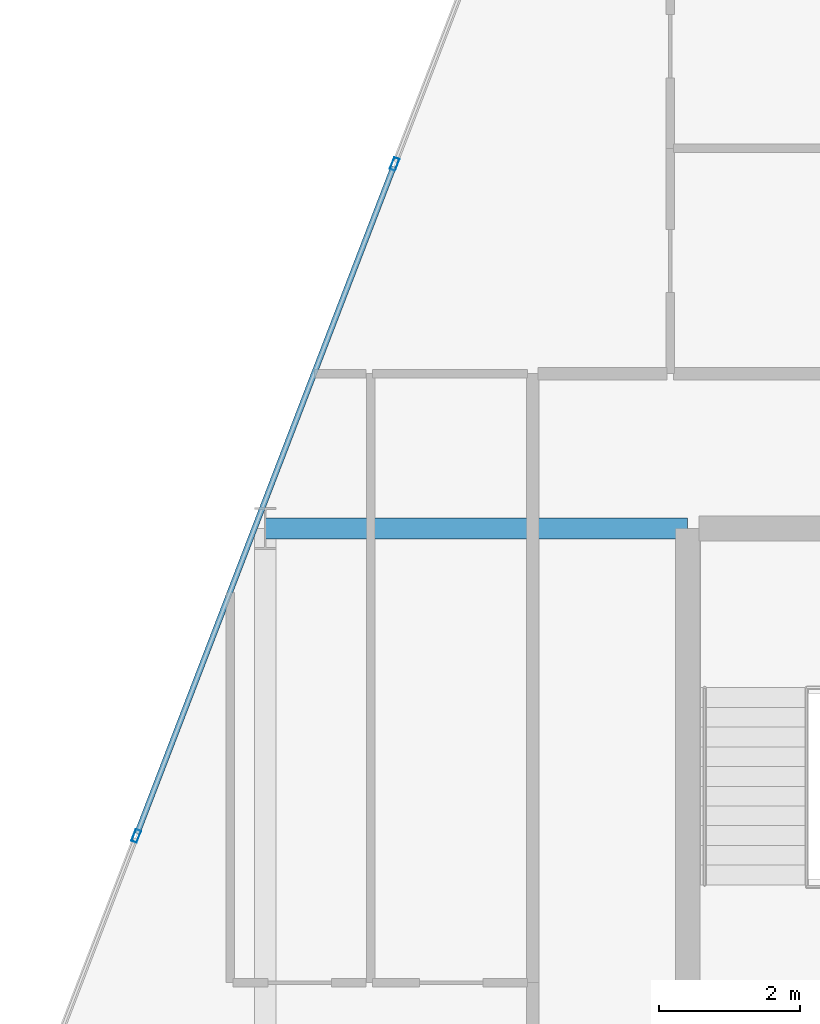
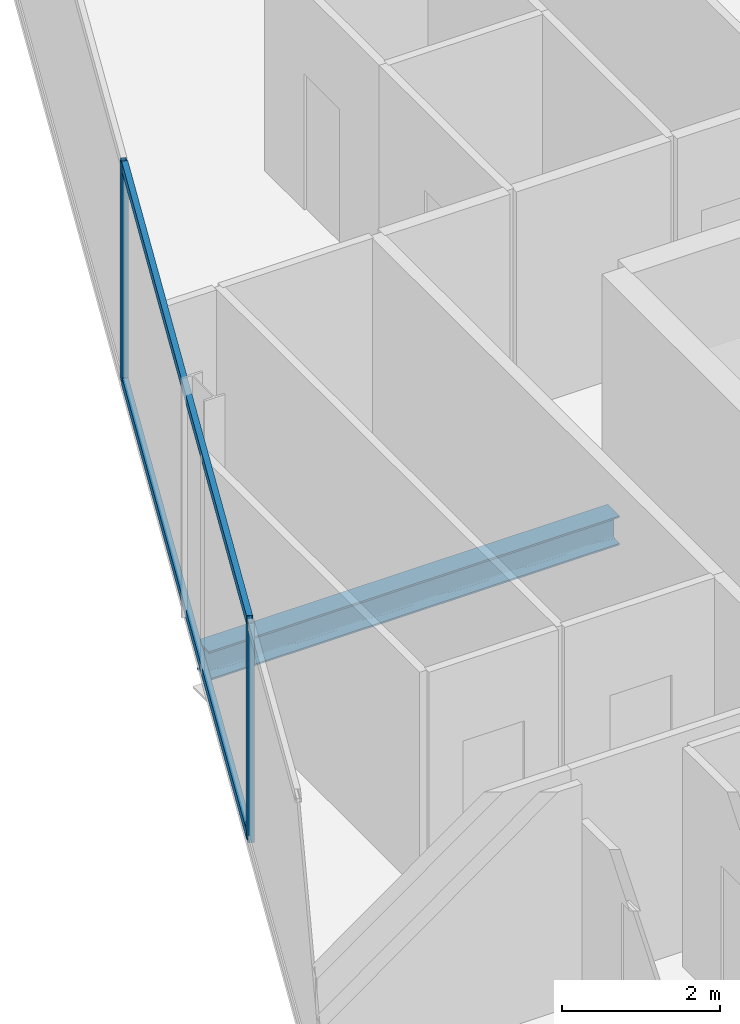
# One storey, part 14 of 29: 4 members, 1 beam, 1 element without a shape of its own.
"""IFC4 building model written with IfcOpenShell, lengths in metres."""

from ifc_helpers import new_model, si_unit, direction, frame, origin, origin_2d, place, context, subcontext, project, spatial, hollow_rectangle, i_section, extrude, material, layer, layer_set, material_profile, profile_set, type_object, element, aggregate, save


model = new_model("IFC4")

# Units and contexts
model_context = context("Model", 3, precision=1e-05, world=origin(), true_north=direction((0.0, 1.0)))
body_context = subcontext(model_context, "Body", "Model", "MODEL_VIEW")
ifc_project = project(units=[si_unit("LENGTHUNIT", "METRE"), si_unit("AREAUNIT", "SQUARE_METRE"), si_unit("VOLUMEUNIT", "CUBIC_METRE"), si_unit("PLANEANGLEUNIT", "RADIAN"), si_unit("MASSUNIT", "GRAM", prefix="KILO")], contexts=[model_context])

# Site, building, storey
site_placement = place(None, origin())
site = spatial("IfcSite", under=ifc_project, at=site_placement, CompositionType="ELEMENT")
building_placement = place(site_placement, origin())
building = spatial("IfcBuilding", under=site, at=building_placement, Name="Keshet Zoharim Tower", CompositionType="ELEMENT")
storey_placement = place(building_placement, frame((0.0, 0.0, 98.300048828125)))
storey = spatial("IfcBuildingStorey", under=building, at=storey_placement, Name="L23", CompositionType="ELEMENT", Elevation=98.300048828125)

# Beam
ifc_material_1 = material(Name="Steel S355", Category="steel")
ifc_material_profile_1 = material_profile(ifc_material_1, i_section(OverallWidth=0.300048828125, OverallDepth=0.449951171875, WebThickness=0.013916015625, FlangeThickness=0.02587890625, FilletRadius=0.027099609375, at=origin_2d()), Name="HEB450")
ifc_profile_set_1 = profile_set([ifc_material_profile_1], Name="Steel S355")
beam_type = type_object("IfcBeamType", Name="BM-WEB-HB450", PredefinedType="BEAM", material=ifc_profile_set_1)
beam_placement = place(storey_placement, frame((9.0, 37.89990234375, -0.5400390625), z_axis=(1.0, 0.0, 0.0), x_axis=(0.0, 1.0, 0.0)))
element("IfcBeam", 1, at=beam_placement, inside=storey, type_object=beam_type, Name="L23 Primary Girder X-018", PredefinedType="BEAM", context=body_context, shape_type="SweptSolid", body=[
    extrude(i_section(OverallWidth=0.300048828125, OverallDepth=0.449951171875, WebThickness=0.013916015625, FlangeThickness=0.02587890625, FilletRadius=0.027099609375, at=origin_2d()), origin(), (0.0, 0.0, 1.0), 6.0),
])

# Curtain wall, members
ifc_material_2 = material(Name="Aluminium 6063-T6", Category="aluminium")
ifc_layer = layer(ifc_material_2, 0.159912109375)
ifc_layer_set = layer_set([ifc_layer], Name="Aluminium 6063-T6")
curtain_wall_type = type_object("IfcCurtainWallType", Name="CW-SYS-03", PredefinedType="NOTDEFINED", material=ifc_layer_set)
curtain_wall_placement = place(storey_placement, origin())
curtain_wall = element("IfcCurtainWall", 2, at=curtain_wall_placement, inside=storey, type_object=curtain_wall_type, Name="L23 Unitised Curtain Wall 10", PredefinedType="NOTDEFINED")
ifc_material_profile_2 = material_profile(ifc_material_2, hollow_rectangle(XDim=0.080078125, YDim=0.179931640625, WallThickness=0.00439453125, at=origin_2d()), Name="MUL-80x180")
ifc_profile_set_2 = profile_set([ifc_material_profile_2], Name="Aluminium 6063-T6")
member_type_1 = type_object("IfcMemberType", Name="CWM-M18", PredefinedType="MULLION", material=ifc_profile_set_2)
member_1_placement = place(storey_placement, frame((7.1669921875, 33.53466796875, 0.0), z_axis=(0.0, 0.0, 1.0), x_axis=(-0.933341404361, 0.358990003907, 0.0)))
member_1 = element("IfcMember", 3, at=member_1_placement, type_object=member_type_1, Name="CW-03 mullion 2", PredefinedType="MULLION", context=body_context, shape_type="SweptSolid", body=[
    extrude(hollow_rectangle(XDim=0.080078125, YDim=0.179931640625, WallThickness=0.00439453125, at=origin_2d()), origin(), (0.0, 0.0, 1.0), 3.385009765625),
])
member_2_placement = place(storey_placement, frame((10.8369140625, 43.076416015625, 0.0), z_axis=(0.0, 0.0, 1.0), x_axis=(-0.933341404361, 0.358990003907, 0.0)))
member_2 = element("IfcMember", 4, at=member_2_placement, type_object=member_type_1, Name="CW-03 mullion 3", PredefinedType="MULLION", context=body_context, shape_type="SweptSolid", body=[
    extrude(hollow_rectangle(XDim=0.080078125, YDim=0.179931640625, WallThickness=0.00439453125, at=origin_2d()), origin(), (0.0, 0.0, 1.0), 3.385009765625),
])
ifc_material_profile_3 = material_profile(ifc_material_2, hollow_rectangle(XDim=0.080078125, YDim=0.139892578125, WallThickness=0.00390625, at=origin_2d()), Name="TRN-80x140")
ifc_profile_set_3 = profile_set([ifc_material_profile_3], Name="Aluminium 6063-T6")
member_type_2 = type_object("IfcMemberType", Name="CWT-T14", PredefinedType="USERDEFINED", material=ifc_profile_set_3)
member_3_placement = place(storey_placement, frame((7.179443359375, 33.5673828125, 0.034912109375), z_axis=(0.359003248899, 0.933336309848, 0.0), x_axis=(-0.933336309848, 0.359003248899, 0.0)))
member_3 = element("IfcMember", 5, at=member_3_placement, type_object=member_type_2, Name="CW-03 transom 2.1", ObjectType="TRANSOM", PredefinedType="USERDEFINED", context=body_context, shape_type="SweptSolid", body=[
    extrude(hollow_rectangle(XDim=0.080078125, YDim=0.139892578125, WallThickness=0.00390625, at=origin_2d()), origin(), (0.0, 0.0, 1.0), 10.153076171875),
])
member_4_placement = place(storey_placement, frame((7.179443359375, 33.5673828125, 3.349853515625), z_axis=(0.359003248899, 0.933336309848, 0.0), x_axis=(-0.933336309848, 0.359003248899, 0.0)))
member_4 = element("IfcMember", 6, at=member_4_placement, type_object=member_type_2, Name="CW-03 transom 2.2", ObjectType="TRANSOM", PredefinedType="USERDEFINED", context=body_context, shape_type="SweptSolid", body=[
    extrude(hollow_rectangle(XDim=0.080078125, YDim=0.139892578125, WallThickness=0.00390625, at=origin_2d()), origin(), (0.0, 0.0, 1.0), 10.153076171875),
])
aggregate(curtain_wall, [member_1, member_2, member_3, member_4])

save(model, "model.ifc")
